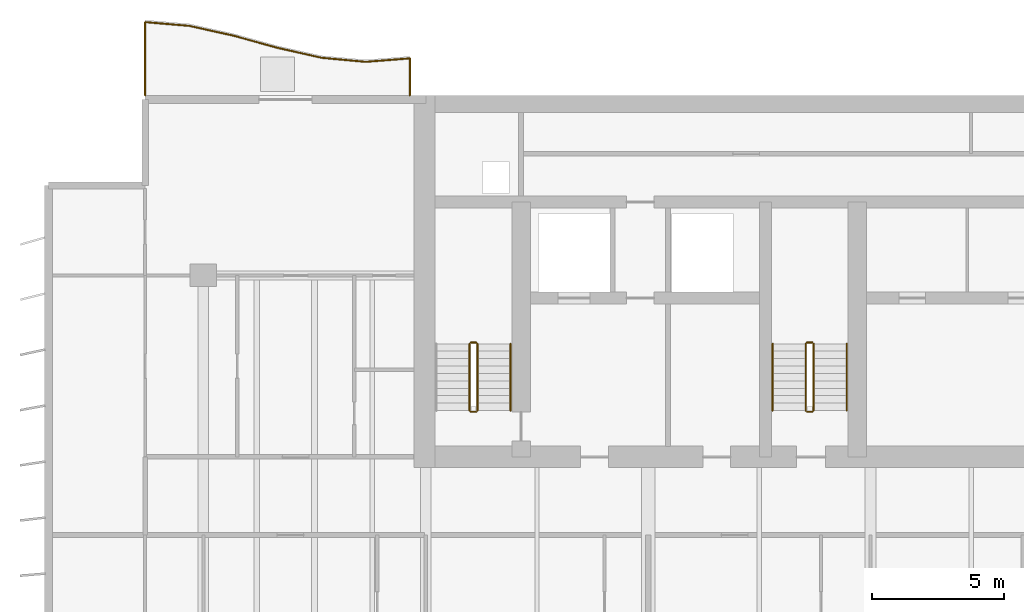
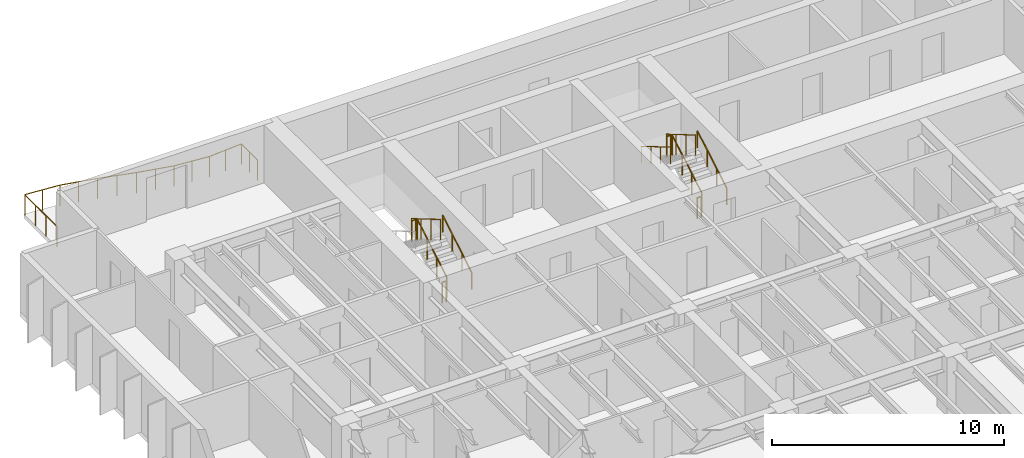
# One storey, part 13 of 15: 12 railings.
"""IFC4 building model written with IfcOpenShell, lengths in metres."""

from ifc_helpers import new_model, si_unit, direction, frame, origin, origin_2d, place, context, subcontext, project, spatial, circle, extrude, material, type_object, element, save


model = new_model("IFC4")

# Units and contexts
model_context = context("Model", 3, precision=1e-05, world=origin(), true_north=direction((0.0, 1.0)))
body_context = subcontext(model_context, "Body", "Model", "MODEL_VIEW")
ifc_project = project(units=[si_unit("LENGTHUNIT", "METRE"), si_unit("AREAUNIT", "SQUARE_METRE"), si_unit("VOLUMEUNIT", "CUBIC_METRE"), si_unit("PLANEANGLEUNIT", "RADIAN"), si_unit("MASSUNIT", "GRAM", prefix="KILO")], contexts=[model_context])

# Site, building, storey
site_placement = place(None, origin())
site = spatial("IfcSite", under=ifc_project, at=site_placement, CompositionType="ELEMENT")
building_placement = place(site_placement, origin())
building = spatial("IfcBuilding", under=site, at=building_placement, Name="Caelmar Bay Residences", CompositionType="ELEMENT")
storey_placement = place(building_placement, frame((0.0, 0.0, 135.60009765625)))
storey = spatial("IfcBuildingStorey", under=building, at=storey_placement, Name="L37", CompositionType="ELEMENT", Elevation=135.60009765625)

# Railings
ifc_material_1 = material(Name="Anodised bronze handrail with laminated hurricane glass infill", Category="glass")
railing_type_1 = type_object("IfcRailingType", Name="RL-BAL-1100", PredefinedType="BALUSTRADE", material=ifc_material_1)
railing_1_placement = place(storey_placement, frame((17.699951171875, 50.60009765625, 0.0)))
element("IfcRailing", 1, at=railing_1_placement, inside=storey, type_object=railing_type_1, Name="L37 north_west Balcony Balustrade", PredefinedType="BALUSTRADE", context=body_context, shape_type="SweptSolid", body=[
    extrude(circle(Radius=0.02392578125, at=origin_2d()), frame((0.0, 0.0, 1.076171875), z_axis=(0.0, 1.0, 0.0), x_axis=(-1.0, 0.0, 0.0)), (0.0, 0.0, 1.0), 1.400146484375),
    extrude(circle(Radius=0.02392578125, at=origin_2d()), frame((0.0, 1.400146484375, 1.076171875), z_axis=(-0.996966215155, -0.077835505006, 0.0), x_axis=(0.077835505006, -0.996966215155, 0.0)), (0.0, 0.0, 1.0), 1.671875),
    extrude(circle(Radius=0.02392578125, at=origin_2d()), frame((-1.666748046875, 1.27001953125, 1.076171875), z_axis=(-0.995860855496, 0.090890904333, 0.0), x_axis=(-0.090890904333, -0.995860855496, 0.0)), (0.0, 0.0, 1.0), 1.67333984375),
    extrude(circle(Radius=0.02392578125, at=origin_2d()), frame((-3.333251953125, 1.422119140625, 1.076171875), z_axis=(-0.975397413638, 0.220453817086, 0.0), x_axis=(-0.220453817086, -0.975397413638, 0.0)), (0.0, 0.0, 1.0), 1.708740234375),
    extrude(circle(Radius=0.02392578125, at=origin_2d()), frame((-5.0, 1.798828125, 1.076171875), z_axis=(-0.963967650546, 0.266019489326, 0.0), x_axis=(-0.266019489326, -0.963967650546, 0.0)), (0.0, 0.0, 1.0), 1.72900390625),
    extrude(circle(Radius=0.02392578125, at=origin_2d()), frame((-6.666748046875, 2.2587890625, 1.076171875), z_axis=(-0.976213972961, 0.216809314827, 0.0), x_axis=(-0.216809314827, -0.976213972961, 0.0)), (0.0, 0.0, 1.0), 1.70703125),
    extrude(circle(Radius=0.02392578125, at=origin_2d()), frame((-8.333251953125, 2.62890625, 1.076171875), z_axis=(-0.996435170563, 0.084362022643, 0.0), x_axis=(-0.084362022643, -0.996435170563, 0.0)), (0.0, 0.0, 1.0), 1.672607421875),
    extrude(circle(Radius=0.02392578125, at=origin_2d()), frame((-10.0, 2.77001953125, 1.076171875), z_axis=(0.0, -1.0, 0.0), x_axis=(1.0, 0.0, 0.0)), (0.0, 0.0, 1.0), 2.77001953125),
    extrude(circle(Radius=0.02099609375, at=origin_2d()), origin(), (0.0, 0.0, 1.0), 1.052001953125),
    extrude(circle(Radius=0.02099609375, at=origin_2d()), frame((0.0, 0.7001953125, 0.0)), (0.0, 0.0, 1.0), 1.052001953125),
    extrude(circle(Radius=0.02099609375, at=origin_2d()), frame((0.0, 1.400146484375, 0.0)), (0.0, 0.0, 1.0), 1.052001953125),
    extrude(circle(Radius=0.02099609375, at=origin_2d()), frame((-0.83349609375, 1.3349609375, 0.0)), (0.0, 0.0, 1.0), 1.052001953125),
    extrude(circle(Radius=0.02099609375, at=origin_2d()), frame((-1.666748046875, 1.27001953125, 0.0)), (0.0, 0.0, 1.0), 1.052001953125),
    extrude(circle(Radius=0.02099609375, at=origin_2d()), frame((-2.5, 1.34619140625, 0.0)), (0.0, 0.0, 1.0), 1.052001953125),
    extrude(circle(Radius=0.02099609375, at=origin_2d()), frame((-3.333251953125, 1.422119140625, 0.0)), (0.0, 0.0, 1.0), 1.052001953125),
    extrude(circle(Radius=0.02099609375, at=origin_2d()), frame((-4.16650390625, 1.6103515625, 0.0)), (0.0, 0.0, 1.0), 1.052001953125),
    extrude(circle(Radius=0.02099609375, at=origin_2d()), frame((-5.0, 1.798828125, 0.0)), (0.0, 0.0, 1.0), 1.052001953125),
    extrude(circle(Radius=0.02099609375, at=origin_2d()), frame((-5.83349609375, 2.02880859375, 0.0)), (0.0, 0.0, 1.0), 1.052001953125),
    extrude(circle(Radius=0.02099609375, at=origin_2d()), frame((-6.666748046875, 2.2587890625, 0.0)), (0.0, 0.0, 1.0), 1.052001953125),
    extrude(circle(Radius=0.02099609375, at=origin_2d()), frame((-7.5, 2.44384765625, 0.0)), (0.0, 0.0, 1.0), 1.052001953125),
    extrude(circle(Radius=0.02099609375, at=origin_2d()), frame((-8.333251953125, 2.62890625, 0.0)), (0.0, 0.0, 1.0), 1.052001953125),
    extrude(circle(Radius=0.02099609375, at=origin_2d()), frame((-9.16650390625, 2.699462890625, 0.0)), (0.0, 0.0, 1.0), 1.052001953125),
    extrude(circle(Radius=0.02099609375, at=origin_2d()), frame((-10.0, 2.77001953125, 0.0)), (0.0, 0.0, 1.0), 1.052001953125),
    extrude(circle(Radius=0.02099609375, at=origin_2d()), frame((-10.0, 1.8466796875, 0.0)), (0.0, 0.0, 1.0), 1.052001953125),
    extrude(circle(Radius=0.02099609375, at=origin_2d()), frame((-10.0, 0.92333984375, 0.0)), (0.0, 0.0, 1.0), 1.052001953125),
    extrude(circle(Radius=0.02099609375, at=origin_2d()), frame((-10.0, 0.0, 0.0)), (0.0, 0.0, 1.0), 1.052001953125),
])
ifc_material_2 = material(Name="Painted galvanized steel stair guard 1100 mm", Category="steel")
railing_type_2 = type_object("IfcRailingType", Name="RL-GRD-1100", PredefinedType="GUARDRAIL", material=ifc_material_2)
railing_2_placement = place(storey_placement, frame((20.25, 38.699951171875, 0.164794921875)))
element("IfcRailing", 2, at=railing_2_placement, inside=storey, type_object=railing_type_2, Name="L37 ST1 stair guard 1", PredefinedType="GUARDRAIL", context=body_context, shape_type="SweptSolid", body=[
    extrude(circle(Radius=0.02392578125, at=origin_2d()), frame((0.0, 0.0, 1.076171875), z_axis=(0.0, 0.86152411907, 0.507716645641), x_axis=(-1.0, 0.0, 0.0)), (0.0, 0.0, 1.0), 2.925048828125),
    extrude(circle(Radius=0.02099609375, at=origin_2d()), origin(), (0.0, 0.0, 1.0), 1.052001953125),
    extrude(circle(Radius=0.02099609375, at=origin_2d()), frame((0.0, 0.840087890625, 0.4951171875)), (0.0, 0.0, 1.0), 1.052001953125),
    extrude(circle(Radius=0.02099609375, at=origin_2d()), frame((0.0, 1.679931640625, 0.989990234375)), (0.0, 0.0, 1.0), 1.052001953125),
    extrude(circle(Radius=0.02099609375, at=origin_2d()), frame((0.0, 2.52001953125, 1.485107421875)), (0.0, 0.0, 1.0), 1.052001953125),
])
railing_3_placement = place(storey_placement, frame((20.199951171875, 41.27001953125, 1.64990234375)))
element("IfcRailing", 3, at=railing_3_placement, inside=storey, type_object=railing_type_2, Name="L37 ST1 stair guard 2", PredefinedType="GUARDRAIL", context=body_context, shape_type="SweptSolid", body=[
    extrude(circle(Radius=0.02392578125, at=origin_2d()), frame((0.0, 0.0, 1.076171875), z_axis=(-1.0, 0.0, 0.0), x_axis=(0.0, -1.0, 0.0)), (0.0, 0.0, 1.0), 0.199951171875),
    extrude(circle(Radius=0.02099609375, at=origin_2d()), origin(), (0.0, 0.0, 1.0), 1.052001953125),
    extrude(circle(Radius=0.02099609375, at=origin_2d()), frame((-0.199951171875, 0.0, 0.0)), (0.0, 0.0, 1.0), 1.052001953125),
])
railing_4_placement = place(storey_placement, frame((19.949951171875, 41.219970703125, 1.81494140625)))
element("IfcRailing", 4, at=railing_4_placement, inside=storey, type_object=railing_type_2, Name="L37 ST1 stair guard 3", PredefinedType="GUARDRAIL", context=body_context, shape_type="SweptSolid", body=[
    extrude(circle(Radius=0.02392578125, at=origin_2d()), frame((0.0, 0.0, 1.076171875), z_axis=(0.0, -0.861560626758, 0.507654692109), x_axis=(1.0, 0.0, 0.0)), (0.0, 0.0, 1.0), 2.925048828125),
    extrude(circle(Radius=0.02099609375, at=origin_2d()), origin(), (0.0, 0.0, 1.0), 1.052001953125),
    extrude(circle(Radius=0.02099609375, at=origin_2d()), frame((0.0, -0.840087890625, 0.494873046875)), (0.0, 0.0, 1.0), 1.052001953125),
    extrude(circle(Radius=0.02099609375, at=origin_2d()), frame((0.0, -1.679931640625, 0.989990234375)), (0.0, 0.0, 1.0), 1.052001953125),
    extrude(circle(Radius=0.02099609375, at=origin_2d()), frame((0.0, -2.52001953125, 1.48486328125)), (0.0, 0.0, 1.0), 1.052001953125),
])
railing_5_placement = place(storey_placement, frame((20.199951171875, 38.64990234375, 0.0)))
element("IfcRailing", 5, at=railing_5_placement, inside=storey, type_object=railing_type_2, Name="L37 ST1 stair guard 4", PredefinedType="GUARDRAIL", context=body_context, shape_type="SweptSolid", body=[
    extrude(circle(Radius=0.02392578125, at=origin_2d()), frame((0.0, 0.0, 1.076171875), z_axis=(-1.0, 0.0, 0.0), x_axis=(0.0, -1.0, 0.0)), (0.0, 0.0, 1.0), 0.199951171875),
    extrude(circle(Radius=0.02099609375, at=origin_2d()), origin(), (0.0, 0.0, 1.0), 1.052001953125),
    extrude(circle(Radius=0.02099609375, at=origin_2d()), frame((-0.199951171875, 0.0, 0.0)), (0.0, 0.0, 1.0), 1.052001953125),
])
railing_6_placement = place(storey_placement, frame((32.949951171875, 38.699951171875, 0.164794921875)))
element("IfcRailing", 6, at=railing_6_placement, inside=storey, type_object=railing_type_2, Name="L37 ST3 stair guard 1", PredefinedType="GUARDRAIL", context=body_context, shape_type="SweptSolid", body=[
    extrude(circle(Radius=0.02392578125, at=origin_2d()), frame((0.0, 0.0, 1.076171875), z_axis=(0.0, 0.86152411907, 0.507716645641), x_axis=(-1.0, 0.0, 0.0)), (0.0, 0.0, 1.0), 2.925048828125),
    extrude(circle(Radius=0.02099609375, at=origin_2d()), origin(), (0.0, 0.0, 1.0), 1.052001953125),
    extrude(circle(Radius=0.02099609375, at=origin_2d()), frame((0.0, 0.840087890625, 0.4951171875)), (0.0, 0.0, 1.0), 1.052001953125),
    extrude(circle(Radius=0.02099609375, at=origin_2d()), frame((0.0, 1.679931640625, 0.989990234375)), (0.0, 0.0, 1.0), 1.052001953125),
    extrude(circle(Radius=0.02099609375, at=origin_2d()), frame((0.0, 2.52001953125, 1.485107421875)), (0.0, 0.0, 1.0), 1.052001953125),
])
railing_7_placement = place(storey_placement, frame((32.89990234375, 41.27001953125, 1.64990234375)))
element("IfcRailing", 7, at=railing_7_placement, inside=storey, type_object=railing_type_2, Name="L37 ST3 stair guard 2", PredefinedType="GUARDRAIL", context=body_context, shape_type="SweptSolid", body=[
    extrude(circle(Radius=0.02392578125, at=origin_2d()), frame((0.0, 0.0, 1.076171875), z_axis=(-1.0, 0.0, 0.0), x_axis=(0.0, -1.0, 0.0)), (0.0, 0.0, 1.0), 0.199951171875),
    extrude(circle(Radius=0.02099609375, at=origin_2d()), origin(), (0.0, 0.0, 1.0), 1.052001953125),
    extrude(circle(Radius=0.02099609375, at=origin_2d()), frame((-0.199951171875, 0.0, 0.0)), (0.0, 0.0, 1.0), 1.052001953125),
])
railing_8_placement = place(storey_placement, frame((32.64990234375, 41.219970703125, 1.81494140625)))
element("IfcRailing", 8, at=railing_8_placement, inside=storey, type_object=railing_type_2, Name="L37 ST3 stair guard 3", PredefinedType="GUARDRAIL", context=body_context, shape_type="SweptSolid", body=[
    extrude(circle(Radius=0.02392578125, at=origin_2d()), frame((0.0, 0.0, 1.076171875), z_axis=(0.0, -0.861560626758, 0.507654692109), x_axis=(1.0, 0.0, 0.0)), (0.0, 0.0, 1.0), 2.925048828125),
    extrude(circle(Radius=0.02099609375, at=origin_2d()), origin(), (0.0, 0.0, 1.0), 1.052001953125),
    extrude(circle(Radius=0.02099609375, at=origin_2d()), frame((0.0, -0.840087890625, 0.494873046875)), (0.0, 0.0, 1.0), 1.052001953125),
    extrude(circle(Radius=0.02099609375, at=origin_2d()), frame((0.0, -1.679931640625, 0.989990234375)), (0.0, 0.0, 1.0), 1.052001953125),
    extrude(circle(Radius=0.02099609375, at=origin_2d()), frame((0.0, -2.52001953125, 1.48486328125)), (0.0, 0.0, 1.0), 1.052001953125),
])
railing_9_placement = place(storey_placement, frame((32.89990234375, 38.64990234375, 0.0)))
element("IfcRailing", 9, at=railing_9_placement, inside=storey, type_object=railing_type_2, Name="L37 ST3 stair guard 4", PredefinedType="GUARDRAIL", context=body_context, shape_type="SweptSolid", body=[
    extrude(circle(Radius=0.02392578125, at=origin_2d()), frame((0.0, 0.0, 1.076171875), z_axis=(-1.0, 0.0, 0.0), x_axis=(0.0, -1.0, 0.0)), (0.0, 0.0, 1.0), 0.199951171875),
    extrude(circle(Radius=0.02099609375, at=origin_2d()), origin(), (0.0, 0.0, 1.0), 1.052001953125),
    extrude(circle(Radius=0.02099609375, at=origin_2d()), frame((-0.199951171875, 0.0, 0.0)), (0.0, 0.0, 1.0), 1.052001953125),
])
ifc_material_3 = material(Name="Brushed bronze stainless-steel tubular handrail 900 mm", Category="steel")
railing_type_3 = type_object("IfcRailingType", Name="RL-HND-900", PredefinedType="HANDRAIL", material=ifc_material_3)
for number, where, name in (
    (10, (21.5, 38.699951171875, 0.164794921875), "L37 ST1 stair handrail 1"),
    (11, (34.199951171875, 38.699951171875, 0.164794921875), "L37 ST3 stair handrail 1"),
):
    element("IfcRailing", number, at=place(storey_placement, frame(where)), inside=storey, type_object=railing_type_3, Name=name, PredefinedType="HANDRAIL", context=body_context, shape_type="SweptSolid", body=[
        extrude(circle(Radius=0.02392578125, at=origin_2d()), frame((0.0, 0.0, 0.8759765625), z_axis=(0.0, 0.86152411907, 0.507716645641), x_axis=(-1.0, 0.0, 0.0)), (0.0, 0.0, 1.0), 2.925048828125),
        extrude(circle(Radius=0.02099609375, at=origin_2d()), origin(), (0.0, 0.0, 1.0), 0.851806640625),
        extrude(circle(Radius=0.02099609375, at=origin_2d()), frame((0.0, 0.840087890625, 0.4951171875)), (0.0, 0.0, 1.0), 0.851806640625),
        extrude(circle(Radius=0.02099609375, at=origin_2d()), frame((0.0, 1.679931640625, 0.989990234375)), (0.0, 0.0, 1.0), 0.851806640625),
        extrude(circle(Radius=0.02099609375, at=origin_2d()), frame((0.0, 2.52001953125, 1.485107421875)), (0.0, 0.0, 1.0), 0.851806640625),
    ])
railing_10_placement = place(storey_placement, frame((31.39990234375, 41.219970703125, 1.81494140625)))
element("IfcRailing", 12, at=railing_10_placement, inside=storey, type_object=railing_type_3, Name="L37 ST3 stair handrail 2", PredefinedType="HANDRAIL", context=body_context, shape_type="SweptSolid", body=[
    extrude(circle(Radius=0.02392578125, at=origin_2d()), frame((0.0, 0.0, 0.8759765625), z_axis=(0.0, -0.861560626758, 0.507654692109), x_axis=(1.0, 0.0, 0.0)), (0.0, 0.0, 1.0), 2.925048828125),
    extrude(circle(Radius=0.02099609375, at=origin_2d()), origin(), (0.0, 0.0, 1.0), 0.851806640625),
    extrude(circle(Radius=0.02099609375, at=origin_2d()), frame((0.0, -0.840087890625, 0.494873046875)), (0.0, 0.0, 1.0), 0.851806640625),
    extrude(circle(Radius=0.02099609375, at=origin_2d()), frame((0.0, -1.679931640625, 0.989990234375)), (0.0, 0.0, 1.0), 0.851806640625),
    extrude(circle(Radius=0.02099609375, at=origin_2d()), frame((0.0, -2.52001953125, 1.48486328125)), (0.0, 0.0, 1.0), 0.851806640625),
])

save(model, "model.ifc")
